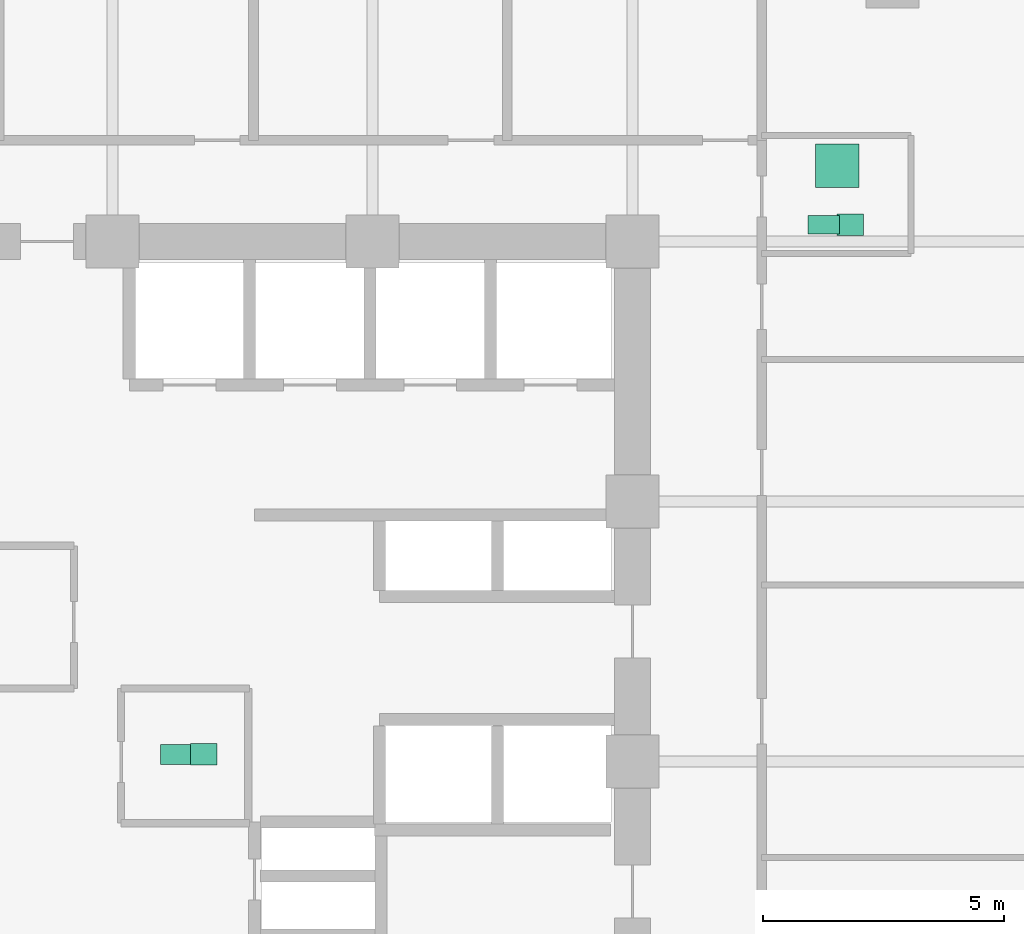
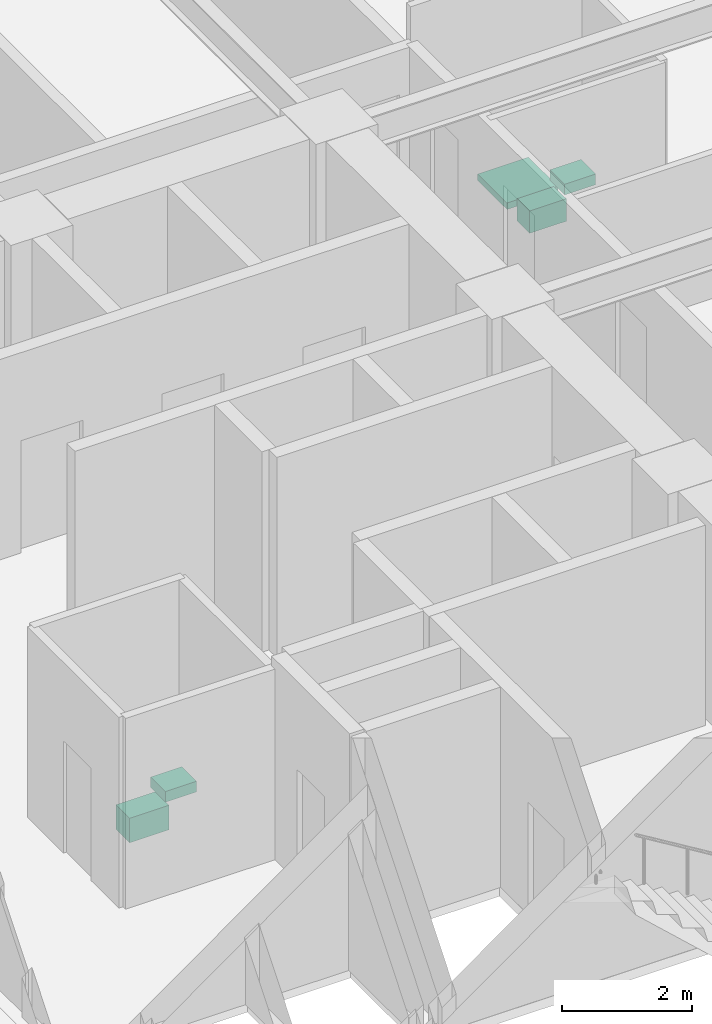
# One storey, part 25 of 25: 5 sanitary terminals.
"""IFC4 building model written with IfcOpenShell, lengths in metres."""

from ifc_helpers import new_model, si_unit, direction, frame, origin, origin_2d, place, context, subcontext, project, spatial, rectangle, extrude, material, type_object, element, save


model = new_model("IFC4")

# Units and contexts
model_context = context("Model", 3, precision=1e-05, world=origin(), true_north=direction((0.0, 1.0)))
body_context = subcontext(model_context, "Body", "Model", "MODEL_VIEW")
ifc_project = project(units=[si_unit("LENGTHUNIT", "METRE"), si_unit("AREAUNIT", "SQUARE_METRE"), si_unit("VOLUMEUNIT", "CUBIC_METRE"), si_unit("PLANEANGLEUNIT", "RADIAN"), si_unit("MASSUNIT", "GRAM", prefix="KILO")], contexts=[model_context])

# Site, building, storey
site_placement = place(None, origin())
site = spatial("IfcSite", under=ifc_project, at=site_placement, CompositionType="ELEMENT")
building_placement = place(site_placement, origin())
building = spatial("IfcBuilding", under=site, at=building_placement, Name="Surkhivell Harbour Commons", CompositionType="ELEMENT")
storey_placement = place(building_placement, frame((0.0, 0.0, 120.75)))
storey = spatial("IfcBuildingStorey", under=building, at=storey_placement, Name="L31", CompositionType="ELEMENT", Elevation=120.75)

# Sanitary terminals
ifc_material_1 = material(Name="Vitreous china washbasin", Category="other")
sanitary_terminal_type_1 = type_object("IfcSanitaryTerminalType", Name="SAN-BSN", PredefinedType="WASHHANDBASIN", material=ifc_material_1)
for number, where, z_axis, x_axis, name in (
    (1, (1.89990234375, 0.14990234375, 0.72021484375), (0.0, 0.0, 1.0), (1.0, 0.0, 0.0), "L31 Core Accessible WC Washbasin"),
    (2, (15.320068359375, 11.14990234375, 0.72021484375), (0.0, 0.0, 1.0), (1.0, 0.0, 0.0), "L31 East Communal Bathroom WC Washbasin"),
):
    element("IfcSanitaryTerminal", number, at=place(storey_placement, frame(where, z_axis=z_axis, x_axis=x_axis)), inside=storey, type_object=sanitary_terminal_type_1, Name=name, PredefinedType="WASHHANDBASIN", context=body_context, shape_type="SweptSolid", body=[
        extrude(rectangle(XDim=0.550048828125, YDim=0.449951171875, at=origin_2d()), origin(), (0.0, 0.0, 1.0), 0.199951171875),
    ])
ifc_material_2 = material(Name="Glazed porcelain shower tray", Category="other")
sanitary_terminal_type_2 = type_object("IfcSanitaryTerminalType", Name="SAN-SHW", PredefinedType="SHOWER", material=ifc_material_2)
sanitary_terminal_1_placement = place(storey_placement, frame((15.050048828125, 12.3701171875, 0.0), z_axis=(0.0, 0.0, 1.0), x_axis=(1.0, 0.0, 0.0)))
element("IfcSanitaryTerminal", 3, at=sanitary_terminal_1_placement, inside=storey, type_object=sanitary_terminal_type_2, Name="L31 East Communal Shower Tray", PredefinedType="SHOWER", context=body_context, shape_type="SweptSolid", body=[
    extrude(rectangle(XDim=0.89990234375, YDim=0.89990234375, at=origin_2d()), origin(), (0.0, 0.0, 1.0), 0.1201171875),
])
ifc_material_3 = material(Name="Vitreous china sanitaryware", Category="other")
sanitary_terminal_type_3 = type_object("IfcSanitaryTerminalType", Name="SAN-WC-ACC", PredefinedType="TOILETPAN", material=ifc_material_3)
sanitary_terminal_2_placement = place(storey_placement, frame((1.35009765625, 0.14990234375, 0.169921875), z_axis=(0.0, 0.0, 1.0), x_axis=(1.0, 0.0, 0.0)))
element("IfcSanitaryTerminal", 4, at=sanitary_terminal_2_placement, inside=storey, type_object=sanitary_terminal_type_3, Name="L31 Core Accessible WC", PredefinedType="TOILETPAN", context=body_context, shape_type="SweptSolid", body=[
    extrude(rectangle(XDim=0.699951171875, YDim=0.419921875, at=origin_2d()), origin(), (0.0, 0.0, 1.0), 0.4599609375),
])
sanitary_terminal_type_4 = type_object("IfcSanitaryTerminalType", Name="SAN-WC-STD", PredefinedType="TOILETPAN", material=ifc_material_3)
sanitary_terminal_3_placement = place(storey_placement, frame((14.77001953125, 11.14990234375, 0.18994140625), z_axis=(0.0, 0.0, 1.0), x_axis=(1.0, 0.0, 0.0)))
element("IfcSanitaryTerminal", 5, at=sanitary_terminal_3_placement, inside=storey, type_object=sanitary_terminal_type_4, Name="L31 East Communal Bathroom WC", PredefinedType="TOILETPAN", context=body_context, shape_type="SweptSolid", body=[
    extrude(rectangle(XDim=0.64990234375, YDim=0.3798828125, at=origin_2d()), origin(), (0.0, 0.0, 1.0), 0.419921875),
])

save(model, "model.ifc")
